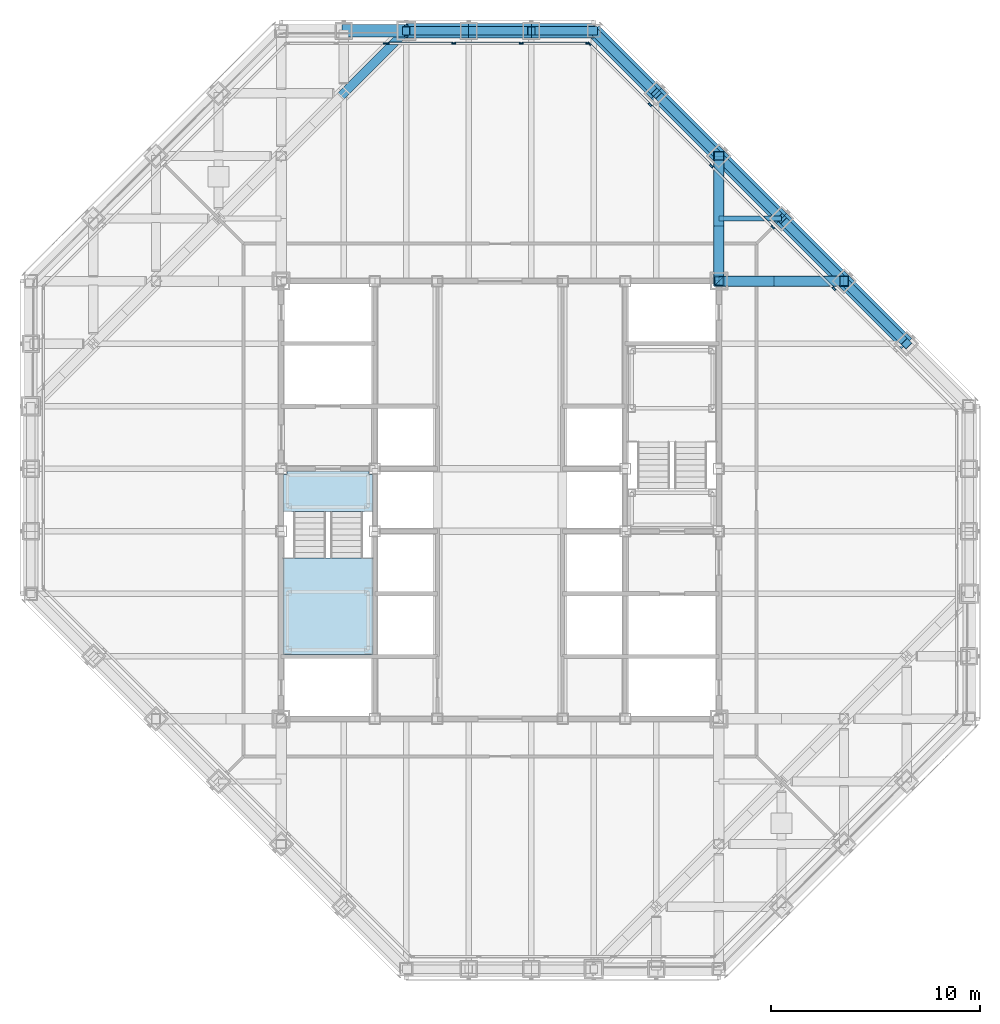
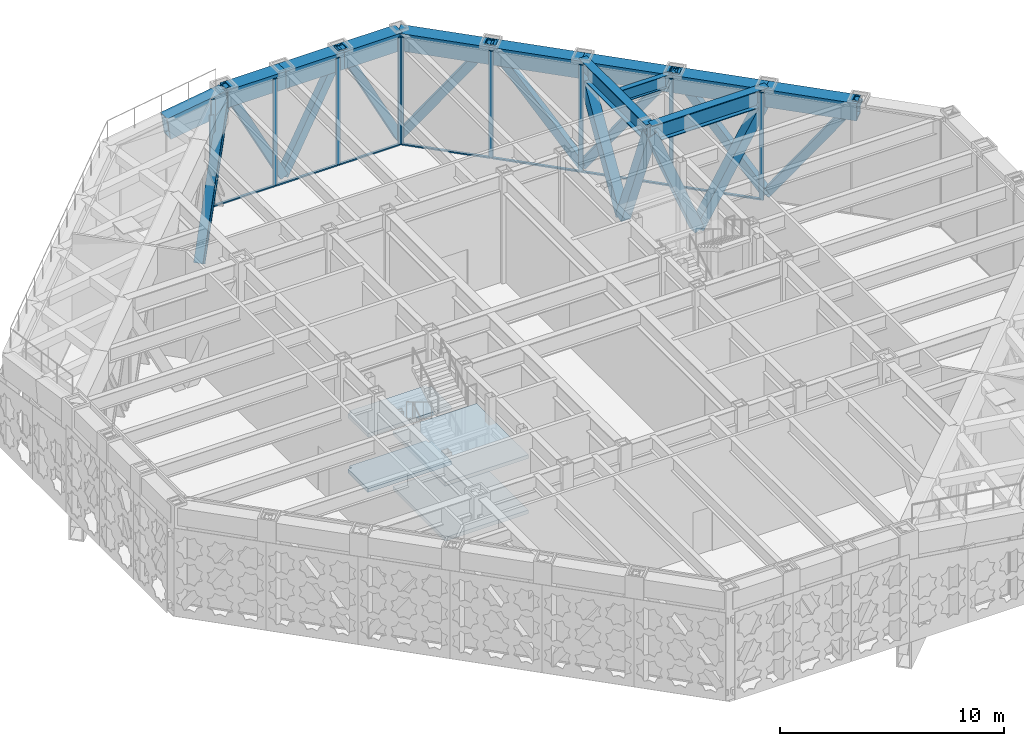
# One storey, part 10 of 29: 30 members, 12 beams, 4 slabs, 4 elements without a shape of their own.
"""IFC4 building model written with IfcOpenShell, lengths in metres."""

from ifc_helpers import new_model, si_unit, direction, frame, origin, origin_2d, place, context, subcontext, project, spatial, polyline, rectangle, hollow_rectangle, i_section, outline, extrude, material, layer, layer_set, material_profile, profile_set, type_object, element, aggregate, save


model = new_model("IFC4")

# Units and contexts
model_context = context("Model", 3, precision=1e-05, world=origin(), true_north=direction((0.0, 1.0)))
body_context = subcontext(model_context, "Body", "Model", "MODEL_VIEW")
ifc_project = project(units=[si_unit("LENGTHUNIT", "METRE"), si_unit("AREAUNIT", "SQUARE_METRE"), si_unit("VOLUMEUNIT", "CUBIC_METRE"), si_unit("PLANEANGLEUNIT", "RADIAN"), si_unit("MASSUNIT", "GRAM", prefix="KILO")], contexts=[model_context])

# Site, building, storey
site_placement = place(None, origin())
site = spatial("IfcSite", under=ifc_project, at=site_placement, CompositionType="ELEMENT")
building_placement = place(site_placement, origin())
building = spatial("IfcBuilding", under=site, at=building_placement, Name="Chuquiago Exchange Tower", CompositionType="ELEMENT")
storey_placement = place(building_placement, frame((0.0, 0.0, 251.699951171875)))
storey = spatial("IfcBuildingStorey", under=building, at=storey_placement, Name="L56", CompositionType="ELEMENT", Elevation=251.699951171875)

# Beam
ifc_material_1 = material(Name="Steel ASTM A992", Category="steel")
ifc_material_profile_1 = material_profile(ifc_material_1, i_section(OverallWidth=0.256591796875, OverallDepth=0.693359375, WebThickness=0.014404296875, FlangeThickness=0.023681640625, at=origin_2d()), Name="W27X114")
ifc_profile_set_1 = profile_set([ifc_material_profile_1], Name="Steel ASTM A992")
beam_type_1 = type_object("IfcBeamType", Name="B9 W27X114", PredefinedType="BEAM", material=ifc_profile_set_1)
beam_1_placement = place(storey_placement, frame((33.0, 36.0, 5.493408203125), z_axis=(1.0, 0.0, 0.0), x_axis=(0.0, 1.0, 0.0)))
element("IfcBeam", 1, at=beam_1_placement, inside=storey, type_object=beam_type_1, Name="FB-L57-corner-33_36-36_36-0", PredefinedType="BEAM", context=body_context, shape_type="SweptSolid", body=[
    extrude(i_section(OverallWidth=0.256591796875, OverallDepth=0.693359375, WebThickness=0.014404296875, FlangeThickness=0.023681640625, at=origin_2d()), origin(), (0.0, 0.0, 1.0), 3.0),
])

# Members
ifc_material_2 = material(Name="Steel ASTM A500 Grade C", Category="steel")
ifc_material_profile_2 = material_profile(ifc_material_2, hollow_rectangle(XDim=0.406494140625, YDim=0.406494140625, WallThickness=0.0146484375, at=origin_2d()), Name="HSS16X16X5/8")
ifc_profile_set_2 = profile_set([ifc_material_profile_2], Name="Steel ASTM A500 Grade C")
member_type_1 = type_object("IfcMemberType", Name="BT1 HSS16X16X5/8", PredefinedType="BRACE", material=ifc_profile_set_2)
for number, where, z_axis, x_axis, name in (
    (2, (39.0, 33.0, 0.0), (0.415599269943, -0.415599269943, 0.80904542125), (0.707106781187, 0.707106781187, 0.0), "Belt truss L56 diagonal"),
    (3, (39.0, 33.0, 0.0), (-0.415599269943, 0.415599269943, 0.80904542125), (-0.707106781187, -0.707106781187, 0.0), "Belt truss L56 diagonal"),
    (4, (33.0, 39.0, 0.0), (0.415599269943, -0.415599269943, 0.80904542125), (0.707106781187, 0.707106781187, 0.0), "Belt truss L56 diagonal"),
    (5, (33.0, 39.0, 0.0), (-0.415599269943, 0.415599269943, 0.80904542125), (-0.707106781187, -0.707106781187, 0.0), "Belt truss L56 diagonal"),
    (6, (27.0, 45.0, 0.0), (0.415599269943, -0.415599269943, 0.80904542125), (0.707106781187, 0.707106781187, 0.0), "Belt truss L56 diagonal"),
):
    element("IfcMember", number, at=place(storey_placement, frame(where, z_axis=z_axis, x_axis=x_axis)), inside=storey, type_object=member_type_1, Name=name, PredefinedType="BRACE", context=body_context, shape_type="SweptSolid", body=[
        extrude(hollow_rectangle(XDim=0.406494140625, YDim=0.406494140625, WallThickness=0.0146484375, at=origin_2d()), origin(), (0.0, 0.0, 1.0), 7.218505859375),
    ])
for number, where, z_axis, x_axis, name in (
    (7, (27.0, 45.0, 0.0), (-0.456929540486, 0.0, 0.889502892087), (0.0, -1.0, 0.0), "Belt truss L56 diagonal"),
    (8, (21.0, 45.0, 0.0), (0.456929540486, 0.0, 0.889502892087), (0.0, 1.0, 0.0), "Belt truss L56 diagonal"),
    (9, (21.0, 45.0, 0.0), (-0.456929540486, 0.0, 0.889502892087), (0.0, -1.0, 0.0), "Belt truss L56 diagonal"),
):
    element("IfcMember", number, at=place(storey_placement, frame(where, z_axis=z_axis, x_axis=x_axis)), inside=storey, type_object=member_type_1, Name=name, PredefinedType="BRACE", context=body_context, shape_type="SweptSolid", body=[
        extrude(hollow_rectangle(XDim=0.406494140625, YDim=0.406494140625, WallThickness=0.0146484375, at=origin_2d()), origin(), (0.0, 0.0, 1.0), 6.565673828125),
    ])

# Curtain wall, members
ifc_material_3 = material(Name="Aluminium curtain wall system", Category="aluminium")
ifc_layer_1 = layer(ifc_material_3, 0.199951171875)
ifc_layer_set_1 = layer_set([ifc_layer_1], Name="CW6 plant floor louvre wall")
curtain_wall_type = type_object("IfcCurtainWallType", Name="CW6 plant floor louvre wall", PredefinedType="NOTDEFINED", material=ifc_layer_set_1)
curtain_wall_1_placement = place(storey_placement, origin())
curtain_wall_1 = element("IfcCurtainWall", 10, at=curtain_wall_1_placement, inside=storey, type_object=curtain_wall_type, Name="CW6 curtain wall L56", PredefinedType="NOTDEFINED")
ifc_material_4 = material(Name="Aluminium mullion, pale anodised", Category="aluminium")
ifc_material_profile_3 = material_profile(ifc_material_4, rectangle(XDim=0.074951171875, YDim=0.199951171875, at=origin_2d()), Name="AL 75x200")
ifc_profile_set_3 = profile_set([ifc_material_profile_3], Name="Aluminium mullion, pale anodised")
member_type_2 = type_object("IfcMemberType", Name="CW6-M mullion 75x200", PredefinedType="MULLION", material=ifc_profile_set_3)
member_1_placement = place(storey_placement, frame((38.51708984375, 32.63427734375, 0.0), z_axis=(0.0, 0.0, 1.0), x_axis=(-0.707106781187, -0.707106781187, 0.0)))
member_1 = element("IfcMember", 11, at=member_1_placement, type_object=member_type_2, Name="CW6 mullion 3", PredefinedType="MULLION", context=body_context, shape_type="SweptSolid", body=[
    extrude(rectangle(XDim=0.074951171875, YDim=0.199951171875, at=origin_2d()), origin(), (0.0, 0.0, 1.0), 5.840087890625),
])
member_2_placement = place(storey_placement, frame((35.57568359375, 35.57568359375, 0.0), z_axis=(0.0, 0.0, 1.0), x_axis=(-0.707106781187, -0.707106781187, 0.0)))
member_2 = element("IfcMember", 12, at=member_2_placement, type_object=member_type_2, Name="CW6 mullion 4", PredefinedType="MULLION", context=body_context, shape_type="SweptSolid", body=[
    extrude(rectangle(XDim=0.074951171875, YDim=0.199951171875, at=origin_2d()), origin(), (0.0, 0.0, 1.0), 5.840087890625),
])
member_3_placement = place(storey_placement, frame((32.63427734375, 38.51708984375, 0.0), z_axis=(0.0, 0.0, 1.0), x_axis=(-0.707106781187, -0.707106781187, 0.0)))
member_3 = element("IfcMember", 13, at=member_3_placement, type_object=member_type_2, Name="CW6 mullion 5", PredefinedType="MULLION", context=body_context, shape_type="SweptSolid", body=[
    extrude(rectangle(XDim=0.074951171875, YDim=0.199951171875, at=origin_2d()), origin(), (0.0, 0.0, 1.0), 5.840087890625),
])
member_4_placement = place(storey_placement, frame((29.69287109375, 41.45849609375, 0.0), z_axis=(0.0, 0.0, 1.0), x_axis=(-0.707106781187, -0.707106781187, 0.0)))
member_4 = element("IfcMember", 14, at=member_4_placement, type_object=member_type_2, Name="CW6 mullion 6", PredefinedType="MULLION", context=body_context, shape_type="SweptSolid", body=[
    extrude(rectangle(XDim=0.074951171875, YDim=0.199951171875, at=origin_2d()), origin(), (0.0, 0.0, 1.0), 5.840087890625),
])
member_5_placement = place(storey_placement, frame((26.778076171875, 44.37353515625, 0.0), z_axis=(0.0, 0.0, 1.0), x_axis=(-0.707106781187, -0.707106781187, 0.0)))
member_5 = element("IfcMember", 15, at=member_5_placement, type_object=member_type_2, Name="CW6 mullion 7", PredefinedType="MULLION", context=body_context, shape_type="SweptSolid", body=[
    extrude(rectangle(XDim=0.074951171875, YDim=0.199951171875, at=origin_2d()), origin(), (0.0, 0.0, 1.0), 5.840087890625),
])

curtain_wall_2_placement = place(storey_placement, origin())
curtain_wall_2 = element("IfcCurtainWall", 16, at=curtain_wall_2_placement, inside=storey, type_object=curtain_wall_type, Name="CW6 curtain wall L56", PredefinedType="NOTDEFINED")
member_6_placement = place(storey_placement, frame((26.714111328125, 44.39990234375, 0.0), z_axis=(0.0, 0.0, 1.0), x_axis=(0.0, -1.0, 0.0)))
member_6 = element("IfcMember", 17, at=member_6_placement, type_object=member_type_2, Name="CW6 mullion 1", PredefinedType="MULLION", context=body_context, shape_type="SweptSolid", body=[
    extrude(rectangle(XDim=0.074951171875, YDim=0.199951171875, at=origin_2d()), origin(), (0.0, 0.0, 1.0), 5.840087890625),
])
member_7_placement = place(storey_placement, frame((23.5166015625, 44.39990234375, 0.0), z_axis=(0.0, 0.0, 1.0), x_axis=(0.0, -1.0, 0.0)))
member_7 = element("IfcMember", 18, at=member_7_placement, type_object=member_type_2, Name="CW6 mullion 2", PredefinedType="MULLION", context=body_context, shape_type="SweptSolid", body=[
    extrude(rectangle(XDim=0.074951171875, YDim=0.199951171875, at=origin_2d()), origin(), (0.0, 0.0, 1.0), 5.840087890625),
])
member_8_placement = place(storey_placement, frame((20.281494140625, 44.39990234375, 0.0), z_axis=(0.0, 0.0, 1.0), x_axis=(0.0, -1.0, 0.0)))
member_8 = element("IfcMember", 19, at=member_8_placement, type_object=member_type_2, Name="CW6 mullion 3", PredefinedType="MULLION", context=body_context, shape_type="SweptSolid", body=[
    extrude(rectangle(XDim=0.074951171875, YDim=0.199951171875, at=origin_2d()), origin(), (0.0, 0.0, 1.0), 5.840087890625),
])
member_9_placement = place(storey_placement, frame((17.083984375, 44.39990234375, 0.0), z_axis=(0.0, 0.0, 1.0), x_axis=(0.0, -1.0, 0.0)))
member_9 = element("IfcMember", 20, at=member_9_placement, type_object=member_type_2, Name="CW6 mullion 4", PredefinedType="MULLION", context=body_context, shape_type="SweptSolid", body=[
    extrude(rectangle(XDim=0.074951171875, YDim=0.199951171875, at=origin_2d()), origin(), (0.0, 0.0, 1.0), 5.840087890625),
])

# Curtain wall, member
curtain_wall_3_placement = place(storey_placement, origin())
curtain_wall_3 = element("IfcCurtainWall", 21, at=curtain_wall_3_placement, inside=storey, type_object=curtain_wall_type, Name="CW6 curtain wall L56", PredefinedType="NOTDEFINED")
member_10_placement = place(storey_placement, frame((17.009033203125, 44.39990234375, 0.0), z_axis=(0.0, 0.0, 1.0), x_axis=(0.0, -1.0, 0.0)))
member_10 = element("IfcMember", 22, at=member_10_placement, type_object=member_type_2, Name="CW6 mullion 1", PredefinedType="MULLION", context=body_context, shape_type="SweptSolid", body=[
    extrude(rectangle(XDim=0.074951171875, YDim=0.199951171875, at=origin_2d()), origin(), (0.0, 0.0, 1.0), 5.021240234375),
])
aggregate(curtain_wall_3, [member_10])

# Member
ifc_material_5 = material(Name="Aluminium transom, pale anodised", Category="aluminium")
ifc_material_profile_4 = material_profile(ifc_material_5, rectangle(XDim=0.1201171875, YDim=0.074951171875, at=origin_2d()), Name="AL 120x75")
ifc_profile_set_4 = profile_set([ifc_material_profile_4], Name="Aluminium transom, pale anodised")
member_type_3 = type_object("IfcMemberType", Name="CW6-T transom 75x120", PredefinedType="MULLION", material=ifc_profile_set_4)
member_11_placement = place(storey_placement, frame((38.49072265625, 32.660888671875, 0.03759765625), z_axis=(-0.707106781187, 0.707106781187, 0.0), x_axis=(-0.707106781187, -0.707106781187, 0.0)))
member_11 = element("IfcMember", 23, at=member_11_placement, type_object=member_type_3, Name="CW6 transom 3.1", PredefinedType="MULLION", context=body_context, shape_type="SweptSolid", body=[
    extrude(rectangle(XDim=0.1201171875, YDim=0.074951171875, at=origin_2d()), origin(), (0.0, 0.0, 1.0), 4.0849609375),
])

member_12_placement = place(storey_placement, frame((35.54931640625, 35.602294921875, 0.03759765625), z_axis=(-0.707106781187, 0.707106781187, 0.0), x_axis=(-0.707106781187, -0.707106781187, 0.0)))
member_12 = element("IfcMember", 24, at=member_12_placement, type_object=member_type_3, Name="CW6 transom 4.1", PredefinedType="MULLION", context=body_context, shape_type="SweptSolid", body=[
    extrude(rectangle(XDim=0.1201171875, YDim=0.074951171875, at=origin_2d()), origin(), (0.0, 0.0, 1.0), 4.0849609375),
])

member_13_placement = place(storey_placement, frame((32.60791015625, 38.543701171875, 0.03759765625), z_axis=(-0.707106781187, 0.707106781187, 0.0), x_axis=(-0.707106781187, -0.707106781187, 0.0)))
member_13 = element("IfcMember", 25, at=member_13_placement, type_object=member_type_3, Name="CW6 transom 5.1", PredefinedType="MULLION", context=body_context, shape_type="SweptSolid", body=[
    extrude(rectangle(XDim=0.1201171875, YDim=0.074951171875, at=origin_2d()), origin(), (0.0, 0.0, 1.0), 4.0849609375),
])

member_14_placement = place(storey_placement, frame((29.66650390625, 41.485107421875, 0.03759765625), z_axis=(-0.707136940781, 0.707076620305, 0.0), x_axis=(-0.707076620305, -0.707136940781, 0.0)))
member_14 = element("IfcMember", 26, at=member_14_placement, type_object=member_type_3, Name="CW6 transom 6.1", PredefinedType="MULLION", context=body_context, shape_type="SweptSolid", body=[
    extrude(rectangle(XDim=0.1201171875, YDim=0.074951171875, at=origin_2d()), origin(), (0.0, 0.0, 1.0), 4.04736328125),
])

aggregate(curtain_wall_1, [member_1, member_2, member_3, member_4, member_5, member_11, member_12, member_13, member_14])

member_15_placement = place(storey_placement, frame((26.676513671875, 44.39990234375, 0.03759765625), z_axis=(-1.0, 0.0, 0.0), x_axis=(0.0, -1.0, 0.0)))
member_15 = element("IfcMember", 27, at=member_15_placement, type_object=member_type_3, Name="CW6 transom 1.1", PredefinedType="MULLION", context=body_context, shape_type="SweptSolid", body=[
    extrude(rectangle(XDim=0.1201171875, YDim=0.074951171875, at=origin_2d()), origin(), (0.0, 0.0, 1.0), 3.12255859375),
])

member_16_placement = place(storey_placement, frame((23.47900390625, 44.39990234375, 0.03759765625), z_axis=(-1.0, 0.0, 0.0), x_axis=(0.0, -1.0, 0.0)))
member_16 = element("IfcMember", 28, at=member_16_placement, type_object=member_type_3, Name="CW6 transom 2.1", PredefinedType="MULLION", context=body_context, shape_type="SweptSolid", body=[
    extrude(rectangle(XDim=0.1201171875, YDim=0.074951171875, at=origin_2d()), origin(), (0.0, 0.0, 1.0), 3.159912109375),
])

member_17_placement = place(storey_placement, frame((20.243896484375, 44.39990234375, 0.03759765625), z_axis=(-1.0, 0.0, 0.0), x_axis=(0.0, -1.0, 0.0)))
member_17 = element("IfcMember", 29, at=member_17_placement, type_object=member_type_3, Name="CW6 transom 3.1", PredefinedType="MULLION", context=body_context, shape_type="SweptSolid", body=[
    extrude(rectangle(XDim=0.1201171875, YDim=0.074951171875, at=origin_2d()), origin(), (0.0, 0.0, 1.0), 3.122314453125),
])

aggregate(curtain_wall_2, [member_6, member_7, member_8, member_9, member_15, member_16, member_17])

# Beams
ifc_material_6 = material(Name="Steel ASTM A572 Grade 50", Category="steel")
ifc_material_profile_5 = material_profile(ifc_material_6, hollow_rectangle(XDim=0.60009765625, YDim=1.199951171875, WallThickness=0.074951171875, at=origin_2d()), Name="BOX1200X600X75")
ifc_profile_set_5 = profile_set([ifc_material_profile_5], Name="Steel ASTM A572 Grade 50")
beam_type_2 = type_object("IfcBeamType", Name="EB3 BOX1200X600X75", PredefinedType="BEAM", material=ifc_profile_set_5)
beam_2_placement = place(storey_placement, frame((18.0, 45.0, 5.199951171875), z_axis=(-0.988903271683, 0.0, -0.148560826784), x_axis=(0.0, -1.0, 0.0)))
element("IfcBeam", 30, at=beam_2_placement, inside=storey, type_object=beam_type_2, Name="Facet roof edge beam L56", PredefinedType="BEAM", context=body_context, shape_type="SweptSolid", body=[
    extrude(hollow_rectangle(XDim=0.60009765625, YDim=1.199951171875, WallThickness=0.074951171875, at=origin_2d()), origin(), (0.0, 0.0, 1.0), 3.03369140625),
])
ifc_material_7 = material(Name="Steel ASTM A992", Category="steel")
ifc_material_profile_6 = material_profile(ifc_material_7, i_section(OverallWidth=0.424072265625, OverallDepth=0.947509765625, WebThickness=0.02392578125, FlangeThickness=0.042724609375, at=origin_2d()), Name="W36X302")
ifc_profile_set_6 = profile_set([ifc_material_profile_6], Name="Steel ASTM A992")
beam_type_3 = type_object("IfcBeamType", Name="G4 W36X302", PredefinedType="BEAM", material=ifc_profile_set_6)
for number, where, z_axis, x_axis, name in (
    (31, (33.0, 33.0, 5.366455078125), (0.0, 1.0, 0.0), (-1.0, 0.0, 0.0), "FB-L57-girder-33_33-33_39-0"),
    (32, (33.0, 33.0, 5.366455078125), (1.0, 0.0, 0.0), (0.0, 1.0, 0.0), "FB-L57-girder-33_33-39_33-0"),
):
    element("IfcBeam", number, at=place(storey_placement, frame(where, z_axis=z_axis, x_axis=x_axis)), inside=storey, type_object=beam_type_3, Name=name, PredefinedType="BEAM", context=body_context, shape_type="SweptSolid", body=[
        extrude(i_section(OverallWidth=0.424072265625, OverallDepth=0.947509765625, WebThickness=0.02392578125, FlangeThickness=0.042724609375, at=origin_2d()), origin(), (0.0, 0.0, 1.0), 6.0),
    ])

# Members
ifc_material_8 = material(Name="Steel ASTM A572 Grade 50", Category="steel")
ifc_material_profile_7 = material_profile(ifc_material_8, hollow_rectangle(XDim=0.5, YDim=0.5, WallThickness=0.0400390625, at=origin_2d()), Name="BOX500X500X40")
ifc_profile_set_7 = profile_set([ifc_material_profile_7], Name="Steel ASTM A572 Grade 50")
member_type_4 = type_object("IfcMemberType", Name="OT1 BOX500X500X40", PredefinedType="BRACE", material=ifc_profile_set_7)
member_18_placement = place(storey_placement, frame((33.0, 33.0, 5.366455078125), z_axis=(0.0, 0.371377648723, -0.928481901832), x_axis=(-1.0, 0.0, 0.0)))
element("IfcMember", 33, at=member_18_placement, inside=storey, type_object=member_type_4, Name="Outrigger diagonal L56", PredefinedType="BRACE", context=body_context, shape_type="SweptSolid", body=[
    extrude(hollow_rectangle(XDim=0.5, YDim=0.5, WallThickness=0.0400390625, at=origin_2d()), origin(), (0.0, 0.0, 1.0), 6.462158203125),
])
member_19_placement = place(storey_placement, frame((33.0, 35.39990234375, -0.633544921875), z_axis=(0.0, 0.514506017516, 0.857486768376), x_axis=(-1.0, 0.0, 0.0)))
element("IfcMember", 34, at=member_19_placement, inside=storey, type_object=member_type_4, Name="Outrigger diagonal L56", PredefinedType="BRACE", context=body_context, shape_type="SweptSolid", body=[
    extrude(hollow_rectangle(XDim=0.5, YDim=0.5, WallThickness=0.0400390625, at=origin_2d()), origin(), (0.0, 0.0, 1.0), 6.997314453125),
])
member_20_placement = place(storey_placement, frame((33.0, 33.0, 5.366455078125), z_axis=(0.371377648723, 0.0, -0.928481901832), x_axis=(0.0, 1.0, 0.0)))
element("IfcMember", 35, at=member_20_placement, inside=storey, type_object=member_type_4, Name="Outrigger diagonal L56", PredefinedType="BRACE", context=body_context, shape_type="SweptSolid", body=[
    extrude(hollow_rectangle(XDim=0.5, YDim=0.5, WallThickness=0.0400390625, at=origin_2d()), origin(), (0.0, 0.0, 1.0), 6.462158203125),
])
member_21_placement = place(storey_placement, frame((35.39990234375, 33.0, -0.633544921875), z_axis=(0.514506017516, 0.0, 0.857486768376), x_axis=(0.0, 1.0, 0.0)))
element("IfcMember", 36, at=member_21_placement, inside=storey, type_object=member_type_4, Name="Outrigger diagonal L56", PredefinedType="BRACE", context=body_context, shape_type="SweptSolid", body=[
    extrude(hollow_rectangle(XDim=0.5, YDim=0.5, WallThickness=0.0400390625, at=origin_2d()), origin(), (0.0, 0.0, 1.0), 6.997314453125),
])

# Beams
ifc_material_9 = material(Name="Steel ASTM A572 Grade 50", Category="steel")
ifc_material_profile_8 = material_profile(ifc_material_9, hollow_rectangle(XDim=0.699951171875, YDim=0.949951171875, WallThickness=0.10009765625, at=origin_2d()), Name="BOX950X700X100")
ifc_profile_set_8 = profile_set([ifc_material_profile_8], Name="Steel ASTM A572 Grade 50")
beam_type_4 = type_object("IfcBeamType", Name="SP5 BOX950X700X100", PredefinedType="SPANDREL", material=ifc_profile_set_8)
for number, where, z_axis, x_axis, name in (
    (37, (42.0, 30.0, 5.364990234375), (-0.707106781187, 0.707106781187, 0.0), (-0.707106781187, -0.707106781187, 0.0), "SPB-L57-42_30-39_33"),
    (38, (39.0, 33.0, 5.364990234375), (-0.707106781187, 0.707106781187, 0.0), (-0.707106781187, -0.707106781187, 0.0), "SPB-L57-39_33-36_36"),
    (39, (36.0, 36.0, 5.364990234375), (-0.707106781187, 0.707106781187, 0.0), (-0.707106781187, -0.707106781187, 0.0), "SPB-L57-36_36-33_39"),
    (40, (33.0, 39.0, 5.364990234375), (-0.707106781187, 0.707106781187, 0.0), (-0.707106781187, -0.707106781187, 0.0), "SPB-L57-33_39-30_42"),
    (41, (30.0, 42.0, 5.364990234375), (-0.707106781187, 0.707106781187, 0.0), (-0.707106781187, -0.707106781187, 0.0), "SPB-L57-30_42-27_45"),
):
    element("IfcBeam", number, at=place(storey_placement, frame(where, z_axis=z_axis, x_axis=x_axis)), inside=storey, type_object=beam_type_4, Name=name, PredefinedType="SPANDREL", context=body_context, shape_type="SweptSolid", body=[
        extrude(hollow_rectangle(XDim=0.699951171875, YDim=0.949951171875, WallThickness=0.10009765625, at=origin_2d()), origin(), (0.0, 0.0, 1.0), 4.24267578125),
    ])
for number, where, z_axis, x_axis, name in (
    (42, (27.0, 45.0, 5.364990234375), (-1.0, 0.0, 0.0), (0.0, -1.0, 0.0), "SPB-L57-27_45-24_45"),
    (43, (24.0, 45.0, 5.364990234375), (-1.0, 0.0, 0.0), (0.0, -1.0, 0.0), "SPB-L57-24_45-21_45"),
    (44, (21.0, 45.0, 5.364990234375), (-1.0, 0.0, 0.0), (0.0, -1.0, 0.0), "SPB-L57-21_45-18_45"),
):
    element("IfcBeam", number, at=place(storey_placement, frame(where, z_axis=z_axis, x_axis=x_axis)), inside=storey, type_object=beam_type_4, Name=name, PredefinedType="SPANDREL", context=body_context, shape_type="SweptSolid", body=[
        extrude(hollow_rectangle(XDim=0.699951171875, YDim=0.949951171875, WallThickness=0.10009765625, at=origin_2d()), origin(), (0.0, 0.0, 1.0), 3.0),
    ])

# Member
ifc_material_10 = material(Name="Steel ASTM A992", Category="steel")
ifc_material_profile_9 = material_profile(ifc_material_10, i_section(OverallWidth=0.431884765625, OverallDepth=0.497802734375, WebThickness=0.0556640625, FlangeThickness=0.0888671875, at=origin_2d()), Name="W14X500")
ifc_profile_set_9 = profile_set([ifc_material_profile_9], Name="Steel ASTM A992")
member_type_5 = type_object("IfcMemberType", Name="TT3 W14X500", PredefinedType="BRACE", material=ifc_profile_set_9)
member_22_placement = place(storey_placement, frame((15.0, 42.0, -0.909912109375), z_axis=(0.408248290464, 0.408248290464, 0.816496580928), x_axis=(-0.707106781187, 0.707106781187, 0.0)))
element("IfcMember", 45, at=member_22_placement, inside=storey, type_object=member_type_5, Name="Transfer truss L56 NW counter-diagonal", PredefinedType="BRACE", context=body_context, shape_type="SweptSolid", body=[
    extrude(i_section(OverallWidth=0.431884765625, OverallDepth=0.497802734375, WebThickness=0.0556640625, FlangeThickness=0.0888671875, at=origin_2d()), origin(), (0.0, 0.0, 1.0), 7.348388671875),
])

# Stair, slabs
ifc_material_11 = material(Name="Concrete C30/37, precast", Category="concrete")
stair_type = type_object("IfcStairType", Name="ST1 double half-turn stair 6000", PredefinedType="DOUBLE_RETURN_STAIR", material=ifc_material_11)
stair_placement = place(storey_placement, origin())
stair = element("IfcStair", 46, at=stair_placement, inside=storey, type_object=stair_type, Name="Stair ST1 L56", PredefinedType="DOUBLE_RETURN_STAIR")
ifc_material_12 = material(Name="Concrete C30/37, precast", Category="concrete")
ifc_layer_2 = layer(ifc_material_12, 0.199951171875)
ifc_layer_set_2 = layer_set([ifc_layer_2], Name="ST-L landing 200")
slab_type = type_object("IfcSlabType", Name="ST-L landing 200", PredefinedType="LANDING", material=ifc_layer_set_2)
slab_1_placement = place(storey_placement, frame((0.0, 0.0, -0.199951171875)))
slab_1 = element("IfcSlab", 47, at=slab_1_placement, type_object=slab_type, Name="ST1 landing 1", PredefinedType="LANDING", context=body_context, shape_type="SweptSolid", body=[
    extrude(outline(polyline([(12.27490234375, 23.89990234375), (16.22509765625, 23.89990234375), (16.22509765625, 23.72509765625), (16.39990234375, 23.72509765625), (16.39990234375, 21.949951171875), (12.10009765625, 21.949951171875), (12.10009765625, 23.72509765625), (12.27490234375, 23.72509765625), (12.27490234375, 23.89990234375)])), origin(), (0.0, 0.0, 1.0), 0.199951171875),
])
slab_2_placement = place(storey_placement, frame((0.0, 0.0, 1.300048828125)))
slab_2 = element("IfcSlab", 48, at=slab_2_placement, type_object=slab_type, Name="ST1 landing 2", PredefinedType="LANDING", context=body_context, shape_type="SweptSolid", body=[
    extrude(outline(polyline([(12.10009765625, 19.7099609375), (16.39990234375, 19.7099609375), (16.39990234375, 15.10009765625), (12.10009765625, 15.10009765625), (12.10009765625, 19.7099609375)])), origin(), (0.0, 0.0, 1.0), 0.199951171875),
])
slab_3_placement = place(storey_placement, frame((0.0, 0.0, 2.800048828125)))
slab_3 = element("IfcSlab", 49, at=slab_3_placement, type_object=slab_type, Name="ST1 landing 3", PredefinedType="LANDING", context=body_context, shape_type="SweptSolid", body=[
    extrude(outline(polyline([(12.27490234375, 23.89990234375), (16.22509765625, 23.89990234375), (16.22509765625, 23.72509765625), (16.39990234375, 23.72509765625), (16.39990234375, 21.949951171875), (12.10009765625, 21.949951171875), (12.10009765625, 23.72509765625), (12.27490234375, 23.72509765625), (12.27490234375, 23.89990234375)])), origin(), (0.0, 0.0, 1.0), 0.199951171875),
])
slab_4_placement = place(storey_placement, frame((0.0, 0.0, 4.300048828125)))
slab_4 = element("IfcSlab", 50, at=slab_4_placement, type_object=slab_type, Name="ST1 landing 4", PredefinedType="LANDING", context=body_context, shape_type="SweptSolid", body=[
    extrude(outline(polyline([(12.10009765625, 19.7099609375), (16.39990234375, 19.7099609375), (16.39990234375, 15.10009765625), (12.10009765625, 15.10009765625), (12.10009765625, 19.7099609375)])), origin(), (0.0, 0.0, 1.0), 0.199951171875),
])
aggregate(stair, [slab_1, slab_2, slab_3, slab_4])

save(model, "model.ifc")
